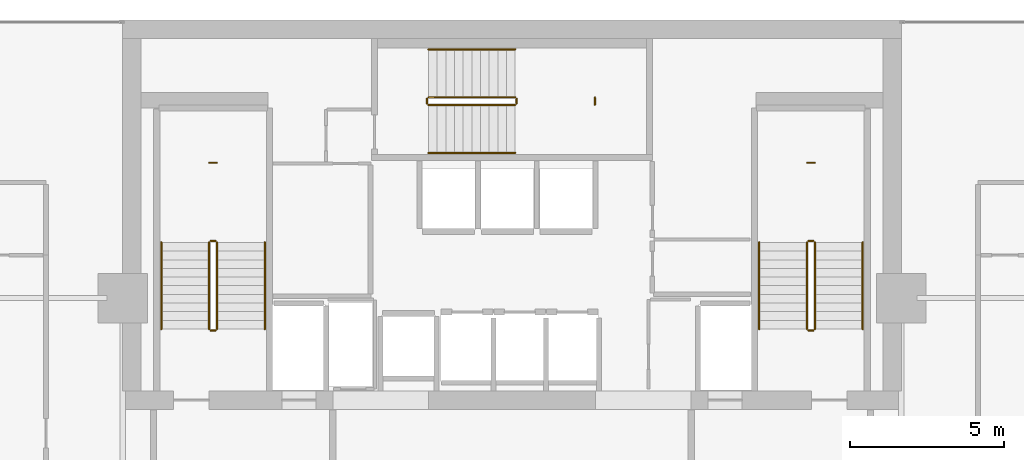
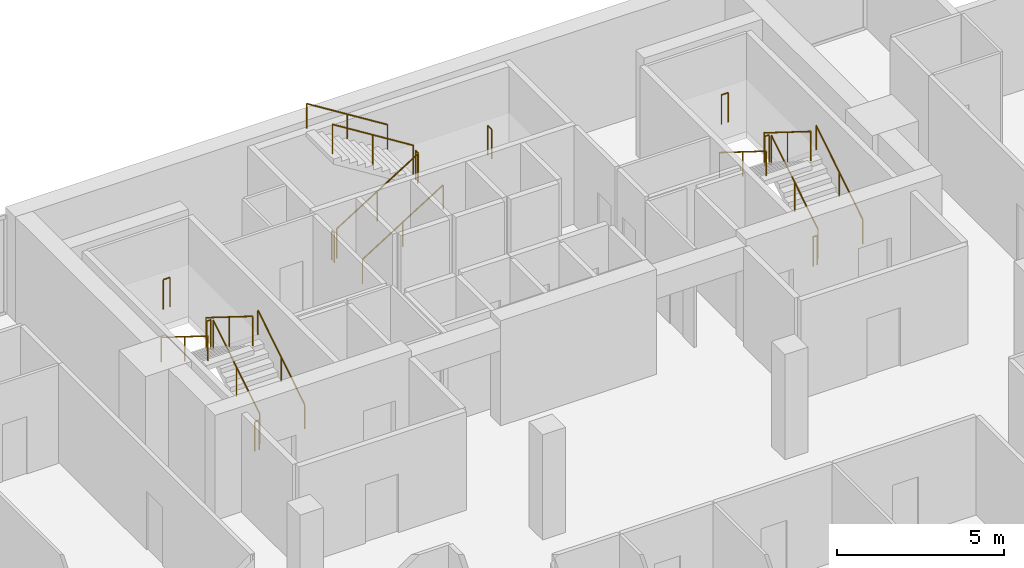
# One storey, part 25 of 25: 21 railings.
"""IFC4 building model written with IfcOpenShell, lengths in metres."""

from ifc_helpers import new_model, si_unit, direction, frame, origin, origin_2d, place, context, subcontext, project, spatial, circle, extrude, material, type_object, element, save


model = new_model("IFC4")

# Units and contexts
model_context = context("Model", 3, precision=1e-05, world=origin(), true_north=direction((0.0, 1.0)))
body_context = subcontext(model_context, "Body", "Model", "MODEL_VIEW")
ifc_project = project(units=[si_unit("LENGTHUNIT", "METRE"), si_unit("AREAUNIT", "SQUARE_METRE"), si_unit("VOLUMEUNIT", "CUBIC_METRE"), si_unit("PLANEANGLEUNIT", "RADIAN"), si_unit("MASSUNIT", "GRAM", prefix="KILO")], contexts=[model_context])

# Site, building, storey
site_placement = place(None, origin())
site = spatial("IfcSite", under=ifc_project, at=site_placement, CompositionType="ELEMENT")
building_placement = place(site_placement, origin())
building = spatial("IfcBuilding", under=site, at=building_placement, Name="Maruvema Waterfront Hotel and Observation Tower", CompositionType="ELEMENT")
storey_placement = place(building_placement, frame((0.0, 0.0, 308.699951171875)))
storey = spatial("IfcBuildingStorey", under=building, at=storey_placement, Name="L76", CompositionType="ELEMENT", Elevation=308.699951171875)

# Railings
ifc_material_1 = material(Name="Brushed stainless steel Grade 316", Category="steel")
railing_type_1 = type_object("IfcRailingType", Name="Ramp Continuous Wall Handrail 920 mm", PredefinedType="HANDRAIL", material=ifc_material_1)
railing_1_placement = place(storey_placement, frame((29.800048828125, 44.0, 0.175048828125)))
element("IfcRailing", 1, at=railing_1_placement, inside=storey, type_object=railing_type_1, Name="L76 ST-01 stair handrail 1", PredefinedType="HANDRAIL", context=body_context, shape_type="SweptSolid", body=[
    extrude(circle(Radius=0.02392578125, at=origin_2d()), frame((0.0, 0.0, 0.89599609375), z_axis=(0.0, 0.848002457836, 0.529992293815), x_axis=(-1.0, 0.0, 0.0)), (0.0, 0.0, 1.0), 3.302001953125),
    extrude(circle(Radius=0.02099609375, at=origin_2d()), origin(), (0.0, 0.0, 1.0), 0.871826171875),
    extrude(circle(Radius=0.02099609375, at=origin_2d()), frame((0.0, 1.39990234375, 0.875)), (0.0, 0.0, 1.0), 0.871826171875),
    extrude(circle(Radius=0.02099609375, at=origin_2d()), frame((0.0, 2.800048828125, 1.75)), (0.0, 0.0, 1.0), 0.871826171875),
])
railing_2_placement = place(storey_placement, frame((26.449951171875, 46.800048828125, 2.10009765625)))
element("IfcRailing", 2, at=railing_2_placement, inside=storey, type_object=railing_type_1, Name="L76 ST-01 stair handrail 2", PredefinedType="HANDRAIL", context=body_context, shape_type="SweptSolid", body=[
    extrude(circle(Radius=0.02392578125, at=origin_2d()), frame((0.0, 0.0, 0.89599609375), z_axis=(0.0, -0.848002457836, 0.529992293815), x_axis=(1.0, 0.0, 0.0)), (0.0, 0.0, 1.0), 3.302001953125),
    extrude(circle(Radius=0.02099609375, at=origin_2d()), origin(), (0.0, 0.0, 1.0), 0.871826171875),
    extrude(circle(Radius=0.02099609375, at=origin_2d()), frame((0.0, -1.39990234375, 0.875)), (0.0, 0.0, 1.0), 0.871826171875),
    extrude(circle(Radius=0.02099609375, at=origin_2d()), frame((0.0, -2.800048828125, 1.75)), (0.0, 0.0, 1.0), 0.871826171875),
])
railing_3_placement = place(storey_placement, frame((35.10009765625, 49.699951171875, 0.175048828125)))
element("IfcRailing", 3, at=railing_3_placement, inside=storey, type_object=railing_type_1, Name="L76 ST-02 stair handrail 1", PredefinedType="HANDRAIL", context=body_context, shape_type="SweptSolid", body=[
    extrude(circle(Radius=0.02392578125, at=origin_2d()), frame((0.0, 0.0, 0.89599609375), z_axis=(0.847981687118, 0.0, 0.530025526095), x_axis=(0.0, 1.0, 0.0)), (0.0, 0.0, 1.0), 3.3017578125),
    extrude(circle(Radius=0.02099609375, at=origin_2d()), origin(), (0.0, 0.0, 1.0), 0.871826171875),
    extrude(circle(Radius=0.02099609375, at=origin_2d()), frame((1.39990234375, 0.0, 0.875)), (0.0, 0.0, 1.0), 0.871826171875),
    extrude(circle(Radius=0.02099609375, at=origin_2d()), frame((2.7998046875, 0.0, 1.75)), (0.0, 0.0, 1.0), 0.871826171875),
])
railing_4_placement = place(storey_placement, frame((37.89990234375, 53.050048828125, 2.10009765625)))
element("IfcRailing", 4, at=railing_4_placement, inside=storey, type_object=railing_type_1, Name="L76 ST-02 stair handrail 2", PredefinedType="HANDRAIL", context=body_context, shape_type="SweptSolid", body=[
    extrude(circle(Radius=0.02392578125, at=origin_2d()), frame((0.0, 0.0, 0.89599609375), z_axis=(-0.847981687118, 0.0, 0.530025526095), x_axis=(0.0, -1.0, 0.0)), (0.0, 0.0, 1.0), 3.3017578125),
    extrude(circle(Radius=0.02099609375, at=origin_2d()), origin(), (0.0, 0.0, 1.0), 0.871826171875),
    extrude(circle(Radius=0.02099609375, at=origin_2d()), frame((-1.39990234375, 0.0, 0.875)), (0.0, 0.0, 1.0), 0.871826171875),
    extrude(circle(Radius=0.02099609375, at=origin_2d()), frame((-2.7998046875, 0.0, 1.75)), (0.0, 0.0, 1.0), 0.871826171875),
])
railing_5_placement = place(storey_placement, frame((49.14990234375, 44.0, 0.175048828125)))
element("IfcRailing", 5, at=railing_5_placement, inside=storey, type_object=railing_type_1, Name="L76 ST-03 stair handrail 1", PredefinedType="HANDRAIL", context=body_context, shape_type="SweptSolid", body=[
    extrude(circle(Radius=0.02392578125, at=origin_2d()), frame((0.0, 0.0, 0.89599609375), z_axis=(0.0, 0.848002457836, 0.529992293815), x_axis=(-1.0, 0.0, 0.0)), (0.0, 0.0, 1.0), 3.302001953125),
    extrude(circle(Radius=0.02099609375, at=origin_2d()), origin(), (0.0, 0.0, 1.0), 0.871826171875),
    extrude(circle(Radius=0.02099609375, at=origin_2d()), frame((0.0, 1.39990234375, 0.875)), (0.0, 0.0, 1.0), 0.871826171875),
    extrude(circle(Radius=0.02099609375, at=origin_2d()), frame((0.0, 2.800048828125, 1.75)), (0.0, 0.0, 1.0), 0.871826171875),
])
railing_6_placement = place(storey_placement, frame((45.800048828125, 46.800048828125, 2.10009765625)))
element("IfcRailing", 6, at=railing_6_placement, inside=storey, type_object=railing_type_1, Name="L76 ST-03 stair handrail 2", PredefinedType="HANDRAIL", context=body_context, shape_type="SweptSolid", body=[
    extrude(circle(Radius=0.02392578125, at=origin_2d()), frame((0.0, 0.0, 0.89599609375), z_axis=(0.0, -0.848002457836, 0.529992293815), x_axis=(1.0, 0.0, 0.0)), (0.0, 0.0, 1.0), 3.302001953125),
    extrude(circle(Radius=0.02099609375, at=origin_2d()), origin(), (0.0, 0.0, 1.0), 0.871826171875),
    extrude(circle(Radius=0.02099609375, at=origin_2d()), frame((0.0, -1.39990234375, 0.875)), (0.0, 0.0, 1.0), 0.871826171875),
    extrude(circle(Radius=0.02099609375, at=origin_2d()), frame((0.0, -2.800048828125, 1.75)), (0.0, 0.0, 1.0), 0.871826171875),
])
ifc_material_2 = material(Name="Brushed stainless steel Grade 316", Category="steel")
railing_type_2 = type_object("IfcRailingType", Name="Ramp and Terrace Guard Balustrade 1100 mm", PredefinedType="BALUSTRADE", material=ifc_material_2)
railing_7_placement = place(storey_placement, frame((28.25, 44.0, 0.175048828125)))
element("IfcRailing", 7, at=railing_7_placement, inside=storey, type_object=railing_type_2, Name="L76 ST-01 stair guard 1", PredefinedType="BALUSTRADE", context=body_context, shape_type="SweptSolid", body=[
    extrude(circle(Radius=0.02392578125, at=origin_2d()), frame((0.0, 0.0, 1.076171875), z_axis=(0.0, 0.848002457836, 0.529992293815), x_axis=(-1.0, 0.0, 0.0)), (0.0, 0.0, 1.0), 3.302001953125),
    extrude(circle(Radius=0.02099609375, at=origin_2d()), origin(), (0.0, 0.0, 1.0), 1.052001953125),
    extrude(circle(Radius=0.02099609375, at=origin_2d()), frame((0.0, 1.39990234375, 0.875)), (0.0, 0.0, 1.0), 1.052001953125),
    extrude(circle(Radius=0.02099609375, at=origin_2d()), frame((0.0, 2.800048828125, 1.75)), (0.0, 0.0, 1.0), 1.052001953125),
])
railing_8_placement = place(storey_placement, frame((28.199951171875, 46.85009765625, 1.925048828125)))
element("IfcRailing", 8, at=railing_8_placement, inside=storey, type_object=railing_type_2, Name="L76 ST-01 stair guard 2", PredefinedType="BALUSTRADE", context=body_context, shape_type="SweptSolid", body=[
    extrude(circle(Radius=0.02392578125, at=origin_2d()), frame((0.0, 0.0, 1.076171875), z_axis=(-1.0, 0.0, 0.0), x_axis=(0.0, -1.0, 0.0)), (0.0, 0.0, 1.0), 0.14990234375),
    extrude(circle(Radius=0.02099609375, at=origin_2d()), origin(), (0.0, 0.0, 1.0), 1.052001953125),
    extrude(circle(Radius=0.02099609375, at=origin_2d()), frame((-0.14990234375, 0.0, 0.0)), (0.0, 0.0, 1.0), 1.052001953125),
])
railing_9_placement = place(storey_placement, frame((28.0, 46.800048828125, 2.10009765625)))
element("IfcRailing", 9, at=railing_9_placement, inside=storey, type_object=railing_type_2, Name="L76 ST-01 stair guard 3", PredefinedType="BALUSTRADE", context=body_context, shape_type="SweptSolid", body=[
    extrude(circle(Radius=0.02392578125, at=origin_2d()), frame((0.0, 0.0, 1.076171875), z_axis=(0.0, -0.848002457836, 0.529992293815), x_axis=(1.0, 0.0, 0.0)), (0.0, 0.0, 1.0), 3.302001953125),
    extrude(circle(Radius=0.02099609375, at=origin_2d()), origin(), (0.0, 0.0, 1.0), 1.052001953125),
    extrude(circle(Radius=0.02099609375, at=origin_2d()), frame((0.0, -1.39990234375, 0.875)), (0.0, 0.0, 1.0), 1.052001953125),
    extrude(circle(Radius=0.02099609375, at=origin_2d()), frame((0.0, -2.800048828125, 1.75)), (0.0, 0.0, 1.0), 1.052001953125),
])
railing_10_placement = place(storey_placement, frame((28.199951171875, 43.949951171875, 0.0)))
element("IfcRailing", 10, at=railing_10_placement, inside=storey, type_object=railing_type_2, Name="L76 ST-01 stair guard 4", PredefinedType="BALUSTRADE", context=body_context, shape_type="SweptSolid", body=[
    extrude(circle(Radius=0.02392578125, at=origin_2d()), frame((0.0, 0.0, 1.076171875), z_axis=(-1.0, 0.0, 0.0), x_axis=(0.0, -1.0, 0.0)), (0.0, 0.0, 1.0), 0.14990234375),
    extrude(circle(Radius=0.02099609375, at=origin_2d()), origin(), (0.0, 0.0, 1.0), 1.052001953125),
    extrude(circle(Radius=0.02099609375, at=origin_2d()), frame((-0.14990234375, 0.0, 0.0)), (0.0, 0.0, 1.0), 1.052001953125),
])
railing_11_placement = place(storey_placement, frame((28.239990234375, 49.3798828125, 1.925048828125)))
element("IfcRailing", 11, at=railing_11_placement, inside=storey, type_object=railing_type_2, Name="L76 ST-01 Half-Landing Slot Guard", PredefinedType="BALUSTRADE", context=body_context, shape_type="SweptSolid", body=[
    extrude(circle(Radius=0.02392578125, at=origin_2d()), frame((0.0, 0.0, 1.076171875), z_axis=(-1.0, 0.0, 0.0), x_axis=(0.0, -1.0, 0.0)), (0.0, 0.0, 1.0), 0.22998046875),
    extrude(circle(Radius=0.02099609375, at=origin_2d()), origin(), (0.0, 0.0, 1.0), 1.052001953125),
    extrude(circle(Radius=0.02099609375, at=origin_2d()), frame((-0.22998046875, 0.0, 0.0)), (0.0, 0.0, 1.0), 1.052001953125),
])
railing_12_placement = place(storey_placement, frame((35.10009765625, 51.25, 0.175048828125)))
element("IfcRailing", 12, at=railing_12_placement, inside=storey, type_object=railing_type_2, Name="L76 ST-02 stair guard 1", PredefinedType="BALUSTRADE", context=body_context, shape_type="SweptSolid", body=[
    extrude(circle(Radius=0.02392578125, at=origin_2d()), frame((0.0, 0.0, 1.076171875), z_axis=(0.847981687118, 0.0, 0.530025526095), x_axis=(0.0, 1.0, 0.0)), (0.0, 0.0, 1.0), 3.3017578125),
    extrude(circle(Radius=0.02099609375, at=origin_2d()), origin(), (0.0, 0.0, 1.0), 1.052001953125),
    extrude(circle(Radius=0.02099609375, at=origin_2d()), frame((1.39990234375, 0.0, 0.875)), (0.0, 0.0, 1.0), 1.052001953125),
    extrude(circle(Radius=0.02099609375, at=origin_2d()), frame((2.7998046875, 0.0, 1.75)), (0.0, 0.0, 1.0), 1.052001953125),
])
railing_13_placement = place(storey_placement, frame((37.949951171875, 51.300048828125, 1.925048828125)))
element("IfcRailing", 13, at=railing_13_placement, inside=storey, type_object=railing_type_2, Name="L76 ST-02 stair guard 2", PredefinedType="BALUSTRADE", context=body_context, shape_type="SweptSolid", body=[
    extrude(circle(Radius=0.02392578125, at=origin_2d()), frame((0.0, 0.0, 1.076171875), z_axis=(0.0, 1.0, 0.0), x_axis=(-1.0, 0.0, 0.0)), (0.0, 0.0, 1.0), 0.14990234375),
    extrude(circle(Radius=0.02099609375, at=origin_2d()), origin(), (0.0, 0.0, 1.0), 1.052001953125),
    extrude(circle(Radius=0.02099609375, at=origin_2d()), frame((0.0, 0.14990234375, 0.0)), (0.0, 0.0, 1.0), 1.052001953125),
])
railing_14_placement = place(storey_placement, frame((37.89990234375, 51.5, 2.10009765625)))
element("IfcRailing", 14, at=railing_14_placement, inside=storey, type_object=railing_type_2, Name="L76 ST-02 stair guard 3", PredefinedType="BALUSTRADE", context=body_context, shape_type="SweptSolid", body=[
    extrude(circle(Radius=0.02392578125, at=origin_2d()), frame((0.0, 0.0, 1.076171875), z_axis=(-0.847981687118, 0.0, 0.530025526095), x_axis=(0.0, -1.0, 0.0)), (0.0, 0.0, 1.0), 3.3017578125),
    extrude(circle(Radius=0.02099609375, at=origin_2d()), origin(), (0.0, 0.0, 1.0), 1.052001953125),
    extrude(circle(Radius=0.02099609375, at=origin_2d()), frame((-1.39990234375, 0.0, 0.875)), (0.0, 0.0, 1.0), 1.052001953125),
    extrude(circle(Radius=0.02099609375, at=origin_2d()), frame((-2.7998046875, 0.0, 1.75)), (0.0, 0.0, 1.0), 1.052001953125),
])
railing_15_placement = place(storey_placement, frame((35.050048828125, 51.300048828125, 0.0)))
element("IfcRailing", 15, at=railing_15_placement, inside=storey, type_object=railing_type_2, Name="L76 ST-02 stair guard 4", PredefinedType="BALUSTRADE", context=body_context, shape_type="SweptSolid", body=[
    extrude(circle(Radius=0.02392578125, at=origin_2d()), frame((0.0, 0.0, 1.076171875), z_axis=(0.0, 1.0, 0.0), x_axis=(-1.0, 0.0, 0.0)), (0.0, 0.0, 1.0), 0.14990234375),
    extrude(circle(Radius=0.02099609375, at=origin_2d()), origin(), (0.0, 0.0, 1.0), 1.052001953125),
    extrude(circle(Radius=0.02099609375, at=origin_2d()), frame((0.0, 0.14990234375, 0.0)), (0.0, 0.0, 1.0), 1.052001953125),
])
railing_16_placement = place(storey_placement, frame((40.47998046875, 51.260009765625, 1.925048828125)))
element("IfcRailing", 16, at=railing_16_placement, inside=storey, type_object=railing_type_2, Name="L76 ST-02 Half-Landing Slot Guard", PredefinedType="BALUSTRADE", context=body_context, shape_type="SweptSolid", body=[
    extrude(circle(Radius=0.02392578125, at=origin_2d()), frame((0.0, 0.0, 1.076171875), z_axis=(0.0, 1.0, 0.0), x_axis=(-1.0, 0.0, 0.0)), (0.0, 0.0, 1.0), 0.22998046875),
    extrude(circle(Radius=0.02099609375, at=origin_2d()), origin(), (0.0, 0.0, 1.0), 1.052001953125),
    extrude(circle(Radius=0.02099609375, at=origin_2d()), frame((0.0, 0.22998046875, 0.0)), (0.0, 0.0, 1.0), 1.052001953125),
])
railing_17_placement = place(storey_placement, frame((47.60009765625, 44.0, 0.175048828125)))
element("IfcRailing", 17, at=railing_17_placement, inside=storey, type_object=railing_type_2, Name="L76 ST-03 stair guard 1", PredefinedType="BALUSTRADE", context=body_context, shape_type="SweptSolid", body=[
    extrude(circle(Radius=0.02392578125, at=origin_2d()), frame((0.0, 0.0, 1.076171875), z_axis=(0.0, 0.848002457836, 0.529992293815), x_axis=(-1.0, 0.0, 0.0)), (0.0, 0.0, 1.0), 3.302001953125),
    extrude(circle(Radius=0.02099609375, at=origin_2d()), origin(), (0.0, 0.0, 1.0), 1.052001953125),
    extrude(circle(Radius=0.02099609375, at=origin_2d()), frame((0.0, 1.39990234375, 0.875)), (0.0, 0.0, 1.0), 1.052001953125),
    extrude(circle(Radius=0.02099609375, at=origin_2d()), frame((0.0, 2.800048828125, 1.75)), (0.0, 0.0, 1.0), 1.052001953125),
])
railing_18_placement = place(storey_placement, frame((47.550048828125, 46.85009765625, 1.925048828125)))
element("IfcRailing", 18, at=railing_18_placement, inside=storey, type_object=railing_type_2, Name="L76 ST-03 stair guard 2", PredefinedType="BALUSTRADE", context=body_context, shape_type="SweptSolid", body=[
    extrude(circle(Radius=0.02392578125, at=origin_2d()), frame((0.0, 0.0, 1.076171875), z_axis=(-1.0, 0.0, 0.0), x_axis=(0.0, -1.0, 0.0)), (0.0, 0.0, 1.0), 0.150146484375),
    extrude(circle(Radius=0.02099609375, at=origin_2d()), origin(), (0.0, 0.0, 1.0), 1.052001953125),
    extrude(circle(Radius=0.02099609375, at=origin_2d()), frame((-0.150146484375, 0.0, 0.0)), (0.0, 0.0, 1.0), 1.052001953125),
])
railing_19_placement = place(storey_placement, frame((47.35009765625, 46.800048828125, 2.10009765625)))
element("IfcRailing", 19, at=railing_19_placement, inside=storey, type_object=railing_type_2, Name="L76 ST-03 stair guard 3", PredefinedType="BALUSTRADE", context=body_context, shape_type="SweptSolid", body=[
    extrude(circle(Radius=0.02392578125, at=origin_2d()), frame((0.0, 0.0, 1.076171875), z_axis=(0.0, -0.848002457836, 0.529992293815), x_axis=(1.0, 0.0, 0.0)), (0.0, 0.0, 1.0), 3.302001953125),
    extrude(circle(Radius=0.02099609375, at=origin_2d()), origin(), (0.0, 0.0, 1.0), 1.052001953125),
    extrude(circle(Radius=0.02099609375, at=origin_2d()), frame((0.0, -1.39990234375, 0.875)), (0.0, 0.0, 1.0), 1.052001953125),
    extrude(circle(Radius=0.02099609375, at=origin_2d()), frame((0.0, -2.800048828125, 1.75)), (0.0, 0.0, 1.0), 1.052001953125),
])
railing_20_placement = place(storey_placement, frame((47.550048828125, 43.949951171875, 0.0)))
element("IfcRailing", 20, at=railing_20_placement, inside=storey, type_object=railing_type_2, Name="L76 ST-03 stair guard 4", PredefinedType="BALUSTRADE", context=body_context, shape_type="SweptSolid", body=[
    extrude(circle(Radius=0.02392578125, at=origin_2d()), frame((0.0, 0.0, 1.076171875), z_axis=(-1.0, 0.0, 0.0), x_axis=(0.0, -1.0, 0.0)), (0.0, 0.0, 1.0), 0.150146484375),
    extrude(circle(Radius=0.02099609375, at=origin_2d()), origin(), (0.0, 0.0, 1.0), 1.052001953125),
    extrude(circle(Radius=0.02099609375, at=origin_2d()), frame((-0.150146484375, 0.0, 0.0)), (0.0, 0.0, 1.0), 1.052001953125),
])
railing_21_placement = place(storey_placement, frame((47.590087890625, 49.3798828125, 1.925048828125)))
element("IfcRailing", 21, at=railing_21_placement, inside=storey, type_object=railing_type_2, Name="L76 ST-03 Half-Landing Slot Guard", PredefinedType="BALUSTRADE", context=body_context, shape_type="SweptSolid", body=[
    extrude(circle(Radius=0.02392578125, at=origin_2d()), frame((0.0, 0.0, 1.076171875), z_axis=(-1.0, 0.0, 0.0), x_axis=(0.0, -1.0, 0.0)), (0.0, 0.0, 1.0), 0.22998046875),
    extrude(circle(Radius=0.02099609375, at=origin_2d()), origin(), (0.0, 0.0, 1.0), 1.052001953125),
    extrude(circle(Radius=0.02099609375, at=origin_2d()), frame((-0.22998046875, 0.0, 0.0)), (0.0, 0.0, 1.0), 1.052001953125),
])

save(model, "model.ifc")
